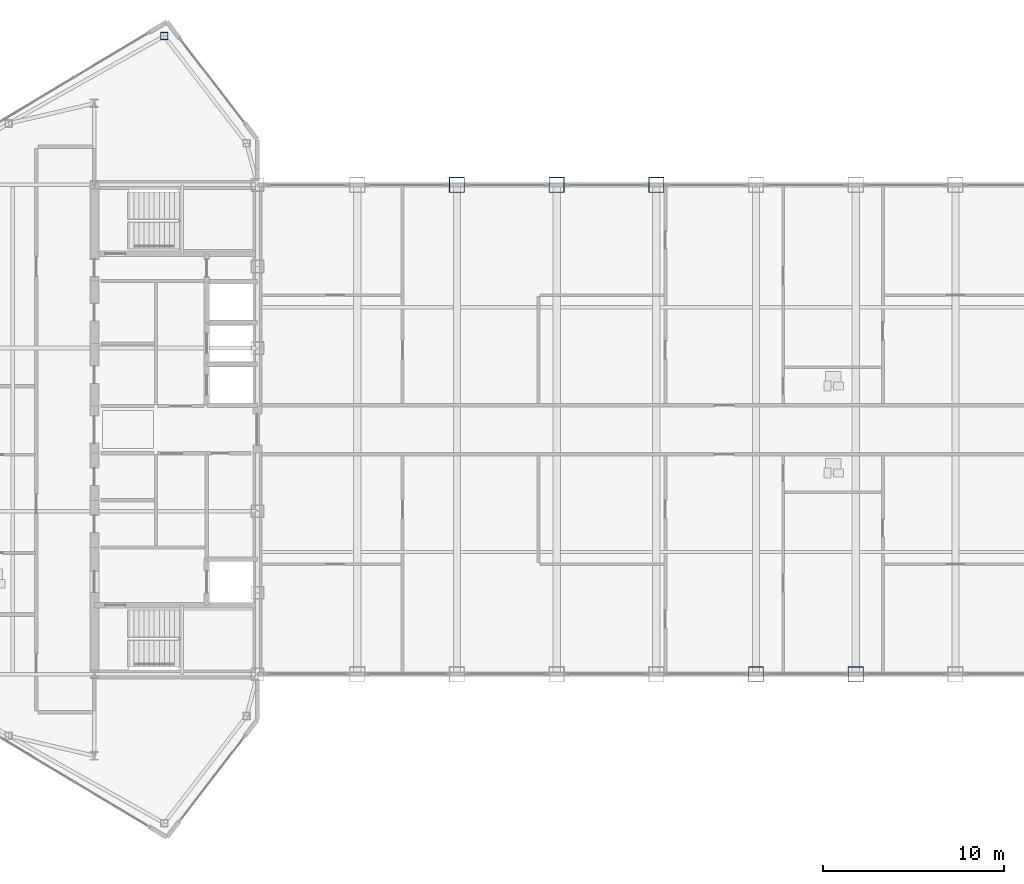
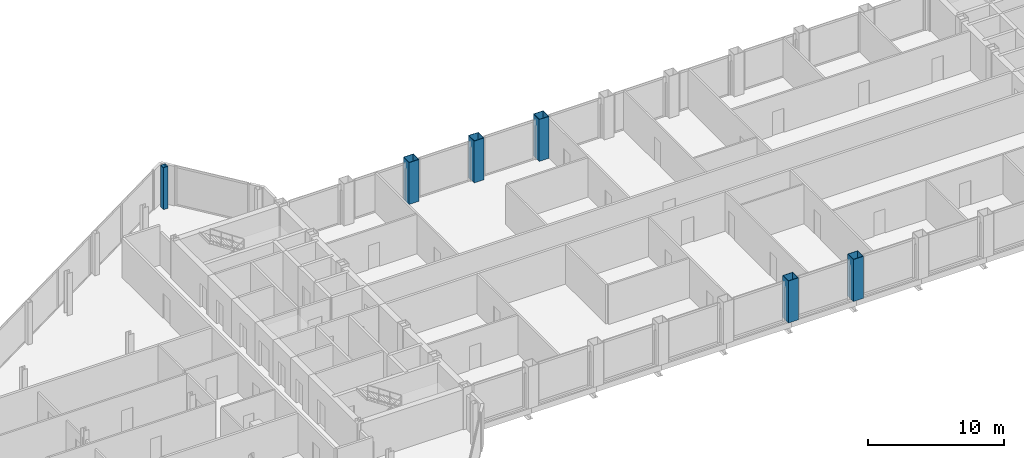
# One storey, part 3 of 29: 6 columns.
"""IFC4 building model written with IfcOpenShell, lengths in metres."""

from ifc_helpers import new_model, si_unit, direction, frame, origin, origin_2d, place, context, subcontext, project, spatial, hollow_rectangle, extrude, source, transform, mapped, material, material_profile, profile_set, type_object, type_shapes, element, save


model = new_model("IFC4")

# Units and contexts
model_context = context("Model", 3, precision=1e-05, world=origin(), true_north=direction((0.0, 1.0)))
body_context = subcontext(model_context, "Body", "Model", "MODEL_VIEW")
ifc_project = project(units=[si_unit("LENGTHUNIT", "METRE"), si_unit("AREAUNIT", "SQUARE_METRE"), si_unit("VOLUMEUNIT", "CUBIC_METRE"), si_unit("PLANEANGLEUNIT", "RADIAN"), si_unit("MASSUNIT", "GRAM", prefix="KILO")], contexts=[model_context])

# Site, building, storey
site_placement = place(None, origin())
site = spatial("IfcSite", under=ifc_project, at=site_placement, CompositionType="ELEMENT")
building_placement = place(site_placement, origin())
building = spatial("IfcBuilding", under=site, at=building_placement, Name="Seokmaru Belvedere", CompositionType="ELEMENT")
storey_placement = place(building_placement, frame((0.0, 0.0, 254.39990234375)))
storey = spatial("IfcBuildingStorey", under=building, at=storey_placement, Name="L67", CompositionType="ELEMENT", Elevation=254.39990234375)

# Columns
ifc_material_1 = material(Name="Steel SM355 (355 MPa)", Category="steel")
ifc_material_profile_1 = material_profile(ifc_material_1, hollow_rectangle(XDim=0.39990234375, YDim=0.39990234375, WallThickness=0.01611328125, at=origin_2d()), Name="HSS-400x400x16")
ifc_profile_set_1 = profile_set([ifc_material_profile_1], Name="Steel SM355 (355 MPa)")
column_type_1 = type_object("IfcColumnType", Name="Perimeter Facet Column HSS-400", PredefinedType="COLUMN", material=ifc_profile_set_1)
shared_shape_1 = source(origin(), body_context, "Body", "SweptSolid", [
    extrude(hollow_rectangle(XDim=0.39990234375, YDim=0.39990234375, WallThickness=0.01611328125, at=origin_2d()), origin(), (0.0, 0.0, 1.0), 3.75),
])
type_shapes(column_type_1, [shared_shape_1])
column_placement = place(storey_placement, frame((-32.649658203125, 21.71044921875, 0.0), z_axis=(0.0, 0.0, 1.0), x_axis=(1.0, 0.0, 0.0)))
element("IfcColumn", 1, at=column_placement, inside=storey, type_object=column_type_1, Name="L67 Column WF3", PredefinedType="COLUMN", context=body_context, shape_type="MappedRepresentation", body=[
    mapped(shared_shape_1, transform((0.0, 0.0, 0.0), scale=1.0)),
])
ifc_material_2 = material(Name="Steel HSA650 (650 MPa)", Category="steel")
ifc_material_profile_2 = material_profile(ifc_material_2, hollow_rectangle(XDim=0.85009765625, YDim=0.85009765625, WallThickness=0.035888671875, at=origin_2d()), Name="BOX-850x850x36")
ifc_profile_set_2 = profile_set([ifc_material_profile_2], Name="Steel HSA650 (650 MPa)")
column_type_2 = type_object("IfcColumnType", Name="Portal Spine Column BOX-850", PredefinedType="COLUMN", material=ifc_profile_set_2)
shared_shape_2 = source(origin(), body_context, "Body", "SweptSolid", [
    extrude(hollow_rectangle(XDim=0.85009765625, YDim=0.85009765625, WallThickness=0.035888671875, at=origin_2d()), origin(), (0.0, 0.0, 1.0), 3.75),
])
type_shapes(column_type_2, [shared_shape_2])
for number, where, z_axis, x_axis, name in (
    (2, (-16.5, 13.5, 0.0), (0.0, 0.0, 1.0), (1.0, 0.0, 0.0), "L67 Column BRN_2"),
    (3, (-11.0, 13.5, 0.0), (0.0, 0.0, 1.0), (1.0, 0.0, 0.0), "L67 Column BRN_3"),
    (4, (-5.5, 13.5, 0.0), (0.0, 0.0, 1.0), (1.0, 0.0, 0.0), "L67 Column BRN_4"),
    (5, (0.0, -13.5, 0.0), (0.0, 0.0, 1.0), (1.0, 0.0, 0.0), "L67 Column BRS_5"),
    (6, (5.5, -13.5, 0.0), (0.0, 0.0, 1.0), (1.0, 0.0, 0.0), "L67 Column BRS_6"),
):
    element("IfcColumn", number, at=place(storey_placement, frame(where, z_axis=z_axis, x_axis=x_axis)), inside=storey, type_object=column_type_2, Name=name, PredefinedType="COLUMN", context=body_context, shape_type="MappedRepresentation", body=[
        mapped(shared_shape_2, transform((0.0, 0.0, 0.0), scale=1.0)),
    ])

save(model, "model.ifc")
